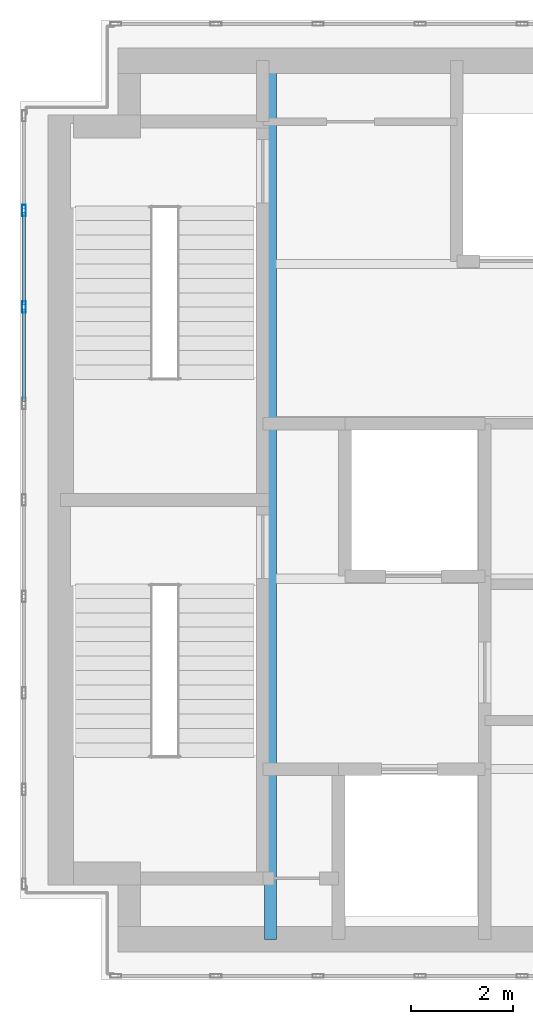
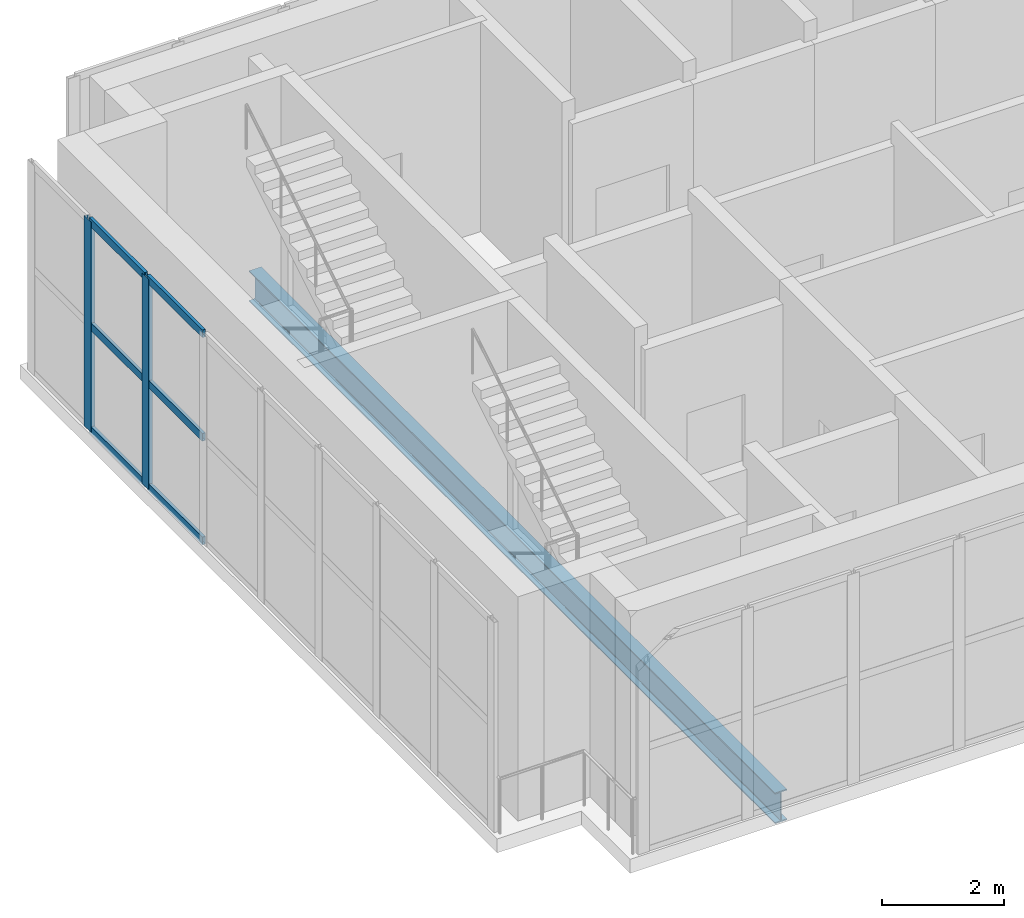
# One storey, part 4 of 21: 8 members, 1 beam, 1 element without a shape of its own.
"""IFC4 building model written with IfcOpenShell, lengths in metres."""

from ifc_helpers import new_model, si_unit, direction, frame, origin, origin_2d, place, context, subcontext, project, spatial, hollow_rectangle, i_section, extrude, material, layer, layer_set, material_profile, profile_set, type_object, element, aggregate, save


model = new_model("IFC4")

# Units and contexts
model_context = context("Model", 3, precision=1e-05, world=origin(), true_north=direction((0.0, 1.0)))
body_context = subcontext(model_context, "Body", "Model", "MODEL_VIEW")
ifc_project = project(units=[si_unit("LENGTHUNIT", "METRE"), si_unit("AREAUNIT", "SQUARE_METRE"), si_unit("VOLUMEUNIT", "CUBIC_METRE"), si_unit("PLANEANGLEUNIT", "RADIAN"), si_unit("MASSUNIT", "GRAM", prefix="KILO")], contexts=[model_context])

# Site, building, storey
site_placement = place(None, origin())
site = spatial("IfcSite", under=ifc_project, at=site_placement, CompositionType="ELEMENT")
building_placement = place(site_placement, origin())
building = spatial("IfcBuilding", under=site, at=building_placement, Name="Mawjdan Bourse Tower", CompositionType="ELEMENT")
storey_placement = place(building_placement, frame((0.0, 0.0, 313.199951171875)))
storey = spatial("IfcBuildingStorey", under=building, at=storey_placement, Name="L77", CompositionType="ELEMENT", Elevation=313.199951171875)

# Beam
ifc_material_1 = material(Name="Structural Steel S355", Category="steel")
ifc_material_profile_1 = material_profile(ifc_material_1, i_section(OverallWidth=0.22998046875, OverallDepth=0.616943359375, WebThickness=0.01318359375, FlangeThickness=0.022216796875, FilletRadius=0.017822265625, at=origin_2d()), Name="W24X94")
ifc_profile_set_1 = profile_set([ifc_material_profile_1], Name="Structural Steel S355")
beam_type = type_object("IfcBeamType", Name="GRD-W24X94", PredefinedType="BEAM", material=ifc_profile_set_1)
beam_placement = place(storey_placement, frame((10.47998046875, 3.35009765625, -0.58837890625), z_axis=(0.0, 1.0, 0.0), x_axis=(-1.0, 0.0, 0.0)))
element("IfcBeam", 1, at=beam_placement, inside=storey, type_object=beam_type, Name="L77 Core Stair Trimmer Girder 001", PredefinedType="BEAM", context=body_context, shape_type="SweptSolid", body=[
    extrude(i_section(OverallWidth=0.22998046875, OverallDepth=0.616943359375, WebThickness=0.01318359375, FlangeThickness=0.022216796875, FilletRadius=0.017822265625, at=origin_2d()), origin(), (0.0, 0.0, 1.0), 17.2998046875),
])

# Curtain wall, members
ifc_material_2 = material(Name="Thermally Broken Aluminium and Solar Glass", Category="aluminium")
ifc_layer = layer(ifc_material_2, 0.219970703125)
ifc_layer_set = layer_set([ifc_layer], Name="Thermally Broken Aluminium and Solar Glass")
curtain_wall_type = type_object("IfcCurtainWallType", Name="CW-CRN", PredefinedType="USERDEFINED", material=ifc_layer_set)
curtain_wall_placement = place(storey_placement, origin())
curtain_wall = element("IfcCurtainWall", 2, at=curtain_wall_placement, inside=storey, type_object=curtain_wall_type, Name="L77 Lantern Crown West Curtain Wall", ObjectType="LANTERN GLAZED CROWN", PredefinedType="USERDEFINED")
ifc_material_3 = material(Name="Thermally Broken Anodised Aluminium", Category="aluminium")
ifc_material_profile_2 = material_profile(ifc_material_3, hollow_rectangle(XDim=0.074951171875, YDim=0.219970703125, WallThickness=0.0048828125, at=origin_2d()), Name="ALU-MUL-220X75")
ifc_profile_set_2 = profile_set([ifc_material_profile_2], Name="Thermally Broken Anodised Aluminium")
member_type_1 = type_object("IfcMemberType", Name="MUL-ALU-MUL-220X75", PredefinedType="MULLION", material=ifc_profile_set_2)
member_1_placement = place(storey_placement, frame((5.6298828125, 17.699951171875, 0.0), z_axis=(0.0, 0.0, 1.0), x_axis=(1.0, 0.0, 0.0)))
member_1 = element("IfcMember", 3, at=member_1_placement, type_object=member_type_1, Name="CW-CRN-L77-CRN-W mullion 2", PredefinedType="MULLION", context=body_context, shape_type="SweptSolid", body=[
    extrude(hollow_rectangle(XDim=0.074951171875, YDim=0.219970703125, WallThickness=0.0048828125, at=origin_2d()), origin(), (0.0, 0.0, 1.0), 4.219970703125),
])
member_2_placement = place(storey_placement, frame((5.6298828125, 15.800048828125, 0.0), z_axis=(0.0, 0.0, 1.0), x_axis=(1.0, 0.0, 0.0)))
member_2 = element("IfcMember", 4, at=member_2_placement, type_object=member_type_1, Name="CW-CRN-L77-CRN-W mullion 3", PredefinedType="MULLION", context=body_context, shape_type="SweptSolid", body=[
    extrude(hollow_rectangle(XDim=0.074951171875, YDim=0.219970703125, WallThickness=0.0048828125, at=origin_2d()), origin(), (0.0, 0.0, 1.0), 4.219970703125),
])
ifc_material_profile_3 = material_profile(ifc_material_3, hollow_rectangle(XDim=0.06005859375, YDim=0.155029296875, WallThickness=0.00390625, at=origin_2d()), Name="ALU-TRN-155X60")
ifc_profile_set_3 = profile_set([ifc_material_profile_3], Name="Thermally Broken Anodised Aluminium")
member_type_2 = type_object("IfcMemberType", Name="TRN-ALU-TRN-155X60", PredefinedType="USERDEFINED", material=ifc_profile_set_3)
member_3_placement = place(storey_placement, frame((5.6298828125, 17.66259765625, 0.030029296875), z_axis=(0.0, -1.0, 0.0), x_axis=(1.0, 0.0, 0.0)))
member_3 = element("IfcMember", 5, at=member_3_placement, type_object=member_type_2, Name="CW-CRN-L77-CRN-W transom 2.1", ObjectType="TRANSOM", PredefinedType="USERDEFINED", context=body_context, shape_type="SweptSolid", body=[
    extrude(hollow_rectangle(XDim=0.06005859375, YDim=0.155029296875, WallThickness=0.00390625, at=origin_2d()), origin(), (0.0, 0.0, 1.0), 1.8251953125),
])
member_4_placement = place(storey_placement, frame((5.6298828125, 17.66259765625, 2.110107421875), z_axis=(0.0, -1.0, 0.0), x_axis=(1.0, 0.0, 0.0)))
member_4 = element("IfcMember", 6, at=member_4_placement, type_object=member_type_2, Name="CW-CRN-L77-CRN-W transom 2.2", ObjectType="TRANSOM", PredefinedType="USERDEFINED", context=body_context, shape_type="SweptSolid", body=[
    extrude(hollow_rectangle(XDim=0.06005859375, YDim=0.155029296875, WallThickness=0.00390625, at=origin_2d()), origin(), (0.0, 0.0, 1.0), 1.8251953125),
])
member_5_placement = place(storey_placement, frame((5.6298828125, 17.66259765625, 4.18994140625), z_axis=(0.0, -1.0, 0.0), x_axis=(1.0, 0.0, 0.0)))
member_5 = element("IfcMember", 7, at=member_5_placement, type_object=member_type_2, Name="CW-CRN-L77-CRN-W transom 2.3", ObjectType="TRANSOM", PredefinedType="USERDEFINED", context=body_context, shape_type="SweptSolid", body=[
    extrude(hollow_rectangle(XDim=0.06005859375, YDim=0.155029296875, WallThickness=0.00390625, at=origin_2d()), origin(), (0.0, 0.0, 1.0), 1.8251953125),
])
member_6_placement = place(storey_placement, frame((5.6298828125, 15.762451171875, 0.030029296875), z_axis=(0.0, -1.0, 0.0), x_axis=(1.0, 0.0, 0.0)))
member_6 = element("IfcMember", 8, at=member_6_placement, type_object=member_type_2, Name="CW-CRN-L77-CRN-W transom 3.1", ObjectType="TRANSOM", PredefinedType="USERDEFINED", context=body_context, shape_type="SweptSolid", body=[
    extrude(hollow_rectangle(XDim=0.06005859375, YDim=0.155029296875, WallThickness=0.00390625, at=origin_2d()), origin(), (0.0, 0.0, 1.0), 1.824951171875),
])
member_7_placement = place(storey_placement, frame((5.6298828125, 15.762451171875, 2.110107421875), z_axis=(0.0, -1.0, 0.0), x_axis=(1.0, 0.0, 0.0)))
member_7 = element("IfcMember", 9, at=member_7_placement, type_object=member_type_2, Name="CW-CRN-L77-CRN-W transom 3.2", ObjectType="TRANSOM", PredefinedType="USERDEFINED", context=body_context, shape_type="SweptSolid", body=[
    extrude(hollow_rectangle(XDim=0.06005859375, YDim=0.155029296875, WallThickness=0.00390625, at=origin_2d()), origin(), (0.0, 0.0, 1.0), 1.824951171875),
])
member_8_placement = place(storey_placement, frame((5.6298828125, 15.762451171875, 4.18994140625), z_axis=(0.0, -1.0, 0.0), x_axis=(1.0, 0.0, 0.0)))
member_8 = element("IfcMember", 10, at=member_8_placement, type_object=member_type_2, Name="CW-CRN-L77-CRN-W transom 3.3", ObjectType="TRANSOM", PredefinedType="USERDEFINED", context=body_context, shape_type="SweptSolid", body=[
    extrude(hollow_rectangle(XDim=0.06005859375, YDim=0.155029296875, WallThickness=0.00390625, at=origin_2d()), origin(), (0.0, 0.0, 1.0), 1.824951171875),
])
aggregate(curtain_wall, [member_1, member_2, member_3, member_4, member_5, member_6, member_7, member_8])

save(model, "model.ifc")
